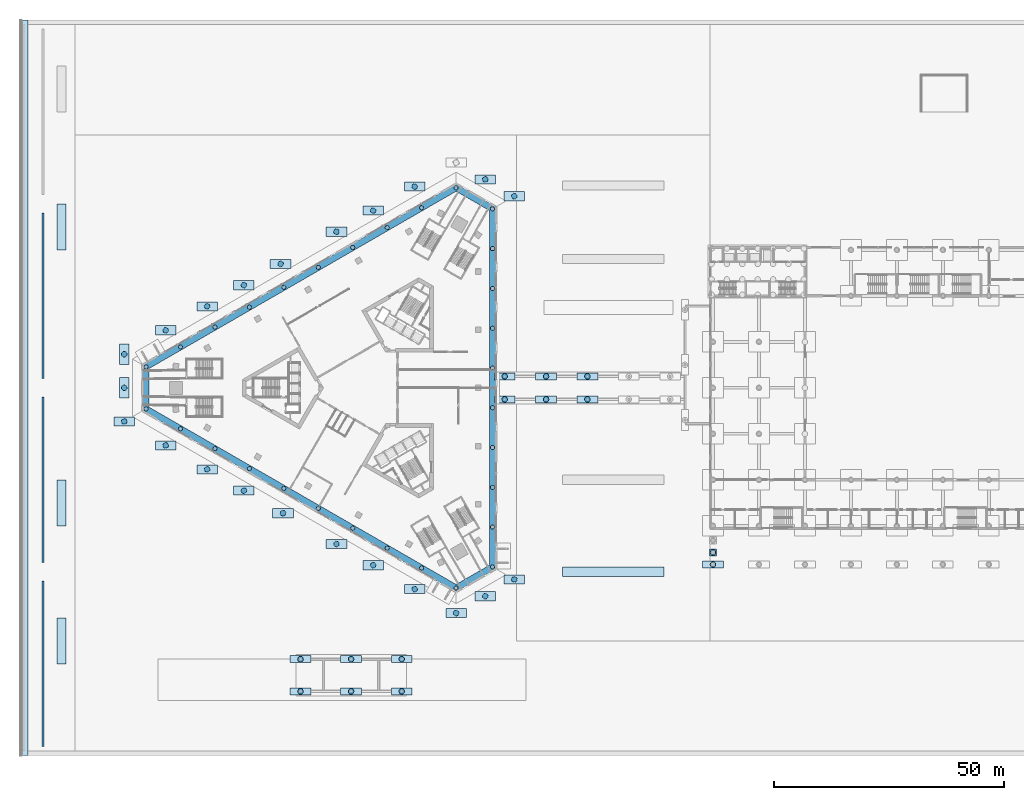
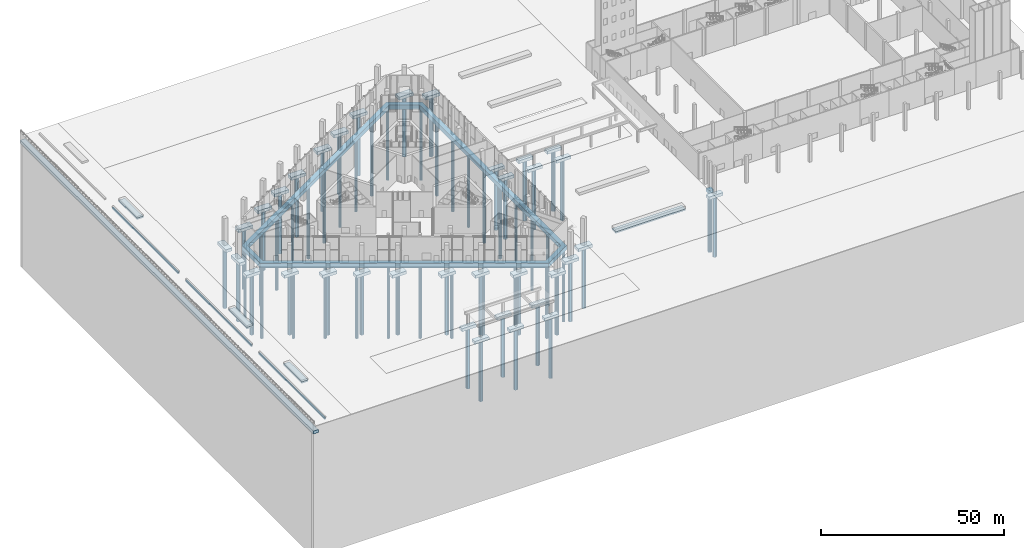
# One storey, part 1 of 63: 66 piles, 45 footings.
"""IFC4 building model written with IfcOpenShell, lengths in metres."""

import ifcopenshell
import ifcopenshell.guid

model = None  # the IFC model being written
_history = None  # IfcOwnerHistory: only IFC2X3 demands one
_inside = {}  # id of a spatial element -> (the spatial element, [elements in it])
_under = {}  # id of a project, library or spatial element -> (it, [spatial elements below it])
_declared = {}  # id of a project -> (the project, [libraries it declares])
_typed = {}  # id of a type object -> (the type object, [elements of that type])
_made_of = {}  # id of a material, layer set ... -> (it, [elements and type objects made of it])


def new_model(schema):
    """Start an empty IFC model of exactly this schema.

    Asked for "IFC4X3", IfcOpenShell would pick the latest addendum, in which some entities
    have other attributes; the version numbers below select the first issue.
    IFC2X3 requires an IfcOwnerHistory on every rooted entity: one is made here for all.
    """
    global model, _history
    if schema == "IFC4X3":
        model = ifcopenshell.file(schema_version=(4, 3, 0, 0))
    else:
        model = ifcopenshell.file(schema=schema)
    _inside.clear()
    _under.clear()
    _declared.clear()
    _typed.clear()
    _made_of.clear()
    _history = None
    if model.schema == "IFC2X3":
        org = make("IfcOrganization", Name="unknown")
        user = make(
            "IfcPersonAndOrganization",
            ThePerson=make("IfcPerson", FamilyName="unknown"),
            TheOrganization=org,
        )
        app = make(
            "IfcApplication",
            ApplicationDeveloper=org,
            Version="unknown",
            ApplicationFullName="unknown",
            ApplicationIdentifier="unknown",
        )
        _history = make(
            "IfcOwnerHistory",
            OwningUser=user,
            OwningApplication=app,
            ChangeAction="ADDED",
            CreationDate=0,
        )
    return model


def make(cls, **values):
    """One entity of the class cls with the attributes given. An attribute that is None is left unset."""
    return model.create_entity(
        cls, **{name: value for name, value in values.items() if value is not None}
    )


def rooted(cls, **values):
    """An entity with a GlobalId (a new one), such as an element, a storey or a relation."""
    return make(cls, GlobalId=ifcopenshell.guid.new(), OwnerHistory=_history, **values)


def si_unit(unit_type, name, prefix=None):
    """IfcSIUnit, for example si_unit("LENGTHUNIT", "METRE", prefix="MILLI")."""
    return make("IfcSIUnit", UnitType=unit_type, Prefix=prefix, Name=name)


def assignment(units):
    """IfcUnitAssignment: the units of a project."""
    return None if units is None else make("IfcUnitAssignment", Units=units)


def point(xyz):
    """IfcCartesianPoint."""
    return None if xyz is None else make("IfcCartesianPoint", Coordinates=xyz)


def direction(xyz):
    """IfcDirection."""
    return None if xyz is None else make("IfcDirection", DirectionRatios=xyz)


def frame(location, z_axis=None, x_axis=None):
    """IfcAxis2Placement3D, a coordinate frame: its origin and axes. An axis left out is left unset."""
    return make(
        "IfcAxis2Placement3D",
        Location=point(location),
        Axis=direction(z_axis),
        RefDirection=direction(x_axis),
    )


def frame_2d(location, x_axis=None):
    """IfcAxis2Placement2D, a coordinate frame in the plane: its origin and x axis."""
    return make(
        "IfcAxis2Placement2D", Location=point(location), RefDirection=direction(x_axis)
    )


def origin():
    """The frame at (0, 0, 0) with its axes left unset."""
    return frame((0.0, 0.0, 0.0))


def origin_2d():
    """The frame at (0, 0) in the plane with its x axis left unset."""
    return frame_2d((0.0, 0.0))


def place(relative_to, where):
    """IfcLocalPlacement: puts the frame where relative to a parent placement (None: the world)."""
    return make(
        "IfcLocalPlacement", PlacementRelTo=relative_to, RelativePlacement=where
    )


def context(
    kind, dimensions, precision=None, world=None, true_north=None, identifier=None
):
    """IfcGeometricRepresentationContext, for example the 3D "Model" context."""
    return make(
        "IfcGeometricRepresentationContext",
        ContextIdentifier=identifier,
        ContextType=kind,
        CoordinateSpaceDimension=dimensions,
        Precision=precision,
        WorldCoordinateSystem=world,
        TrueNorth=true_north,
    )


def subcontext(parent, identifier, kind, view, scale=None):
    """IfcGeometricRepresentationSubContext, for example "Body" below "Model"."""
    return make(
        "IfcGeometricRepresentationSubContext",
        ContextIdentifier=identifier,
        ContextType=kind,
        ParentContext=parent,
        TargetScale=scale,
        TargetView=view,
    )


def project(units=None, contexts=None):
    """IfcProject with its units and contexts."""
    return rooted(
        "IfcProject",
        Name="project",
        RepresentationContexts=contexts,
        UnitsInContext=assignment(units),
    )


def spatial(cls, under=None, at=None, **own):
    """A site, building, storey or space (cls), placed at a placement, below another one or the project."""
    s = rooted(cls, ObjectPlacement=at, **own)
    if under is not None:
        _under.setdefault(under.id(), (under, []))[1].append(s)
    return s


def polyline(points):
    """IfcPolyline through the points."""
    return make("IfcPolyline", Points=[point(p) for p in points])


def profile(cls, at=None, kind="AREA", **sizes):
    """A parametric profile (cls). Its sizes go by their IFC names, for example OverallWidth=200.0."""
    return make(cls, ProfileType=kind, Position=at, **sizes)


def rectangle(**sizes):
    """IfcRectangleProfileDef."""
    return profile("IfcRectangleProfileDef", **sizes)


def circle(**sizes):
    """IfcCircleProfileDef."""
    return profile("IfcCircleProfileDef", **sizes)


def outline(outer, holes=None, kind="AREA"):
    """IfcArbitraryClosedProfileDef: a profile drawn as a closed curve; with holes, ...WithVoids."""
    if holes is None:
        return make("IfcArbitraryClosedProfileDef", ProfileType=kind, OuterCurve=outer)
    return make(
        "IfcArbitraryProfileDefWithVoids",
        ProfileType=kind,
        OuterCurve=outer,
        InnerCurves=holes,
    )


def extrude(swept, where, along, depth):
    """IfcExtrudedAreaSolid: the profile swept, set in the frame where, extruded along a direction by depth."""
    return make(
        "IfcExtrudedAreaSolid",
        SweptArea=swept,
        Position=where,
        ExtrudedDirection=direction(along),
        Depth=depth,
    )


def shape(context_of_items, identifier, shape_type, items):
    """IfcShapeRepresentation: the items that make up one representation, for example the "Body"."""
    return make(
        "IfcShapeRepresentation",
        ContextOfItems=context_of_items,
        RepresentationIdentifier=identifier,
        RepresentationType=shape_type,
        Items=items,
    )


def material(Name=None, Category=None):
    """IfcMaterial."""
    return make("IfcMaterial", Name=Name, Category=Category)


def layer(
    of_material, thickness, ventilated=None, Name=None, Category=None, Priority=None
):
    """IfcMaterialLayer: one layer of a wall or slab, of a material (None: an air gap)."""
    return make(
        "IfcMaterialLayer",
        Material=of_material,
        LayerThickness=thickness,
        IsVentilated=ventilated,
        Name=Name,
        Category=Category,
        Priority=Priority,
    )


def layer_set(layers, Name=None):
    """IfcMaterialLayerSet."""
    return make("IfcMaterialLayerSet", MaterialLayers=layers, LayerSetName=Name)


def material_profile(
    of_material, cross_section, Name=None, Category=None, Priority=None
):
    """IfcMaterialProfile: a cross section and its material."""
    return make(
        "IfcMaterialProfile",
        Name=Name,
        Material=of_material,
        Profile=cross_section,
        Priority=Priority,
        Category=Category,
    )


def profile_set(profiles, Name=None, composite=None):
    """IfcMaterialProfileSet."""
    return make(
        "IfcMaterialProfileSet",
        Name=Name,
        MaterialProfiles=profiles,
        CompositeProfile=composite,
    )


def made_of(thing, what):
    """Note that an element or type object is made of a material, layer set ...; save() writes the relation."""
    if what is not None:
        _made_of.setdefault(what.id(), (what, []))[1].append(thing)
    return thing


def type_object(cls, material=None, **own):
    """A type object (cls), such as IfcWallType, which elements share."""
    return made_of(rooted(cls, **own), material)


def element(
    cls,
    number,
    at=None,
    inside=None,
    cuts=None,
    type_object=None,
    material=None,
    context=None,
    identifier="Body",
    shape_type=None,
    held_by="IfcProductDefinitionShape",
    body=None,
    shapes=None,
    **own,
):
    """One element of the class cls, such as IfcWall. Its Tag is "e" and its number.

    at: its placement. inside: the storey or other place that contains it. cuts: it is an
    opening in that element (IfcRelVoidsElement). A single representation is given by context,
    identifier, shape_type and body (its items); several are given by shapes. held_by: the class
    of the entity that holds the representations. save() writes the other relations.
    """
    e = rooted(cls, Tag="e%d" % number, ObjectPlacement=at, **own)
    if body is not None:
        shapes = [shape(context, identifier, shape_type, body)]
    if shapes is not None:
        e.Representation = make(held_by, Representations=shapes)
    if inside is not None:
        _inside.setdefault(inside.id(), (inside, []))[1].append(e)
    if cuts is not None:
        rooted(
            "IfcRelVoidsElement", RelatingBuildingElement=cuts, RelatedOpeningElement=e
        )
    if type_object is not None:
        _typed.setdefault(type_object.id(), (type_object, []))[1].append(e)
    return made_of(e, material)


def aggregate(whole, parts):
    """IfcRelAggregates: a whole, such as a stair, and the parts it consists of."""
    return rooted("IfcRelAggregates", RelatingObject=whole, RelatedObjects=parts)


def save(model, path):
    """Write the relations noted so far, then the file.

    IfcRelAggregates (storeys below a building ...), IfcRelContainedInSpatialStructure (elements
    in a storey), IfcRelDefinesByType, IfcRelAssociatesMaterial and IfcRelDeclares: one each for
    every whole, place, type object, material and project.
    """
    for whole, parts in _under.values():
        aggregate(whole, parts)
    for where, things in _inside.values():
        rooted(
            "IfcRelContainedInSpatialStructure",
            RelatedElements=things,
            RelatingStructure=where,
        )
    for kind, things in _typed.values():
        rooted("IfcRelDefinesByType", RelatedObjects=things, RelatingType=kind)
    for what, things in _made_of.values():
        rooted("IfcRelAssociatesMaterial", RelatedObjects=things, RelatingMaterial=what)
    for by, libraries in _declared.values():
        rooted("IfcRelDeclares", RelatingContext=by, RelatedDefinitions=libraries)
    model.write(path)


model = new_model("IFC4")

# Units and contexts
model_context = context("Model", 3, precision=1e-05, world=origin(), true_north=direction((0.0, 1.0)))
body_context = subcontext(model_context, "Body", "Model", "MODEL_VIEW")
ifc_project = project(units=[si_unit("LENGTHUNIT", "METRE"), si_unit("AREAUNIT", "SQUARE_METRE"), si_unit("VOLUMEUNIT", "CUBIC_METRE"), si_unit("PLANEANGLEUNIT", "RADIAN"), si_unit("MASSUNIT", "GRAM", prefix="KILO")], contexts=[model_context])

# Site, building, storey
site_placement = place(None, origin())
site = spatial("IfcSite", under=ifc_project, at=site_placement, CompositionType="ELEMENT")
building_placement = place(site_placement, origin())
building = spatial("IfcBuilding", under=site, at=building_placement, Name="Jabali Bay Hotel Tower and Convention Centre", CompositionType="ELEMENT")
storey_placement = place(building_placement, origin())
storey = spatial("IfcBuildingStorey", under=building, at=storey_placement, Name="L00", CompositionType="ELEMENT", Elevation=0.0)

# Piles
ifc_material_1 = material(Name="Concrete C45", Category="concrete")
ifc_material_profile_1 = material_profile(ifc_material_1, circle(Radius=0.449951171875, at=origin_2d()), Name="Bored pile 900")
ifc_profile_set_1 = profile_set([ifc_material_profile_1], Name="Concrete C45")
pile_type_1 = type_object("IfcPileType", Name="Bored pile 900", PredefinedType="BORED", material=ifc_profile_set_1)
for number, where, z_axis, x_axis, name in (
    (1, (102.75, 41.069580078125, -1.699951171875), (0.0, 0.0, -1.0), (1.0, 0.0, 0.0), "Podium pile P01"),
    (2, (102.75, 49.720703125, -1.699951171875), (0.0, 0.0, -1.0), (1.0, 0.0, 0.0), "Podium pile P02"),
    (3, (102.75, 58.3720703125, -1.699951171875), (0.0, 0.0, -1.0), (1.0, 0.0, 0.0), "Podium pile P03"),
    (4, (102.75, 67.023193359375, -1.699951171875), (0.0, 0.0, -1.0), (1.0, 0.0, 0.0), "Podium pile P04"),
    (5, (102.75, 75.67431640625, -1.699951171875), (0.0, 0.0, -1.0), (1.0, 0.0, 0.0), "Podium pile P05"),
    (6, (102.75, 84.32568359375, -1.699951171875), (0.0, 0.0, -1.0), (1.0, 0.0, 0.0), "Podium pile P06"),
    (7, (102.75, 92.976806640625, -1.699951171875), (0.0, 0.0, -1.0), (1.0, 0.0, 0.0), "Podium pile P07"),
    (8, (102.75, 101.6279296875, -1.699951171875), (0.0, 0.0, -1.0), (1.0, 0.0, 0.0), "Podium pile P08"),
    (9, (102.75, 110.279296875, -1.699951171875), (0.0, 0.0, -1.0), (1.0, 0.0, 0.0), "Podium pile P09"),
    (10, (102.75, 118.930419921875, -1.699951171875), (0.0, 0.0, -1.0), (1.0, 0.0, 0.0), "Podium pile P10"),
    (11, (94.83984375, 123.497314453125, -1.699951171875), (0.0, 0.0, -1.0), (1.0, 0.0, 0.0), "Podium pile P11"),
    (12, (87.34765625, 119.171875, -1.699951171875), (0.0, 0.0, -1.0), (1.0, 0.0, 0.0), "Podium pile P12"),
    (13, (79.85546875, 114.84619140625, -1.699951171875), (0.0, 0.0, -1.0), (1.0, 0.0, 0.0), "Podium pile P13"),
    (14, (72.36328125, 110.5205078125, -1.699951171875), (0.0, 0.0, -1.0), (1.0, 0.0, 0.0), "Podium pile P14"),
    (15, (64.87109375, 106.195068359375, -1.699951171875), (0.0, 0.0, -1.0), (1.0, 0.0, 0.0), "Podium pile P15"),
    (16, (57.37890625, 101.869384765625, -1.699951171875), (0.0, 0.0, -1.0), (1.0, 0.0, 0.0), "Podium pile P16"),
    (17, (49.88671875, 97.543701171875, -1.699951171875), (0.0, 0.0, -1.0), (1.0, 0.0, 0.0), "Podium pile P17"),
    (18, (42.39453125, 93.21826171875, -1.699951171875), (0.0, 0.0, -1.0), (1.0, 0.0, 0.0), "Podium pile P18"),
    (19, (34.90234375, 88.892578125, -1.699951171875), (0.0, 0.0, -1.0), (1.0, 0.0, 0.0), "Podium pile P19"),
    (20, (27.41015625, 84.56689453125, -1.699951171875), (0.0, 0.0, -1.0), (1.0, 0.0, 0.0), "Podium pile P20"),
    (21, (27.41015625, 75.43310546875, -1.699951171875), (0.0, 0.0, -1.0), (1.0, 0.0, 0.0), "Podium pile P21"),
    (22, (34.90234375, 71.107421875, -1.699951171875), (0.0, 0.0, -1.0), (1.0, 0.0, 0.0), "Podium pile P22"),
    (23, (42.39453125, 66.78173828125, -1.699951171875), (0.0, 0.0, -1.0), (1.0, 0.0, 0.0), "Podium pile P23"),
    (24, (49.88671875, 62.456298828125, -1.699951171875), (0.0, 0.0, -1.0), (1.0, 0.0, 0.0), "Podium pile P24"),
    (25, (57.37890625, 58.130615234375, -1.699951171875), (0.0, 0.0, -1.0), (1.0, 0.0, 0.0), "Podium pile P25"),
    (26, (64.87109375, 53.804931640625, -1.699951171875), (0.0, 0.0, -1.0), (1.0, 0.0, 0.0), "Podium pile P26"),
    (27, (72.36328125, 49.4794921875, -1.699951171875), (0.0, 0.0, -1.0), (1.0, 0.0, 0.0), "Podium pile P27"),
    (28, (79.85546875, 45.15380859375, -1.699951171875), (0.0, 0.0, -1.0), (1.0, 0.0, 0.0), "Podium pile P28"),
    (29, (87.34765625, 40.828125, -1.699951171875), (0.0, 0.0, -1.0), (1.0, 0.0, 0.0), "Podium pile P29"),
    (30, (94.83984375, 36.502685546875, -1.699951171875), (0.0, 0.0, -1.0), (1.0, 0.0, 0.0), "Podium pile P30"),
):
    element("IfcPile", number, at=place(storey_placement, frame(where, z_axis=z_axis, x_axis=x_axis)), inside=storey, type_object=pile_type_1, Name=name, PredefinedType="BORED", context=body_context, shape_type="SweptSolid", body=[
        extrude(circle(Radius=0.449951171875, at=origin_2d()), origin(), (0.0, 0.0, 1.0), 24.0),
    ])
ifc_material_profile_2 = material_profile(ifc_material_1, circle(Radius=0.60009765625, at=origin_2d()), Name="D1200")
ifc_profile_set_2 = profile_set([ifc_material_profile_2], Name="Concrete C45")
pile_type_2 = type_object("IfcPileType", Name="CC Bored Pile D1200", PredefinedType="BORED", material=ifc_profile_set_2)
for number, where, z_axis, x_axis, name in (
    (31, (150.699951171875, 44.199951171875, -1.10009765625), (0.0, 0.0, -1.0), (1.0, 0.0, 0.0), "CC pile 113"),
    (32, (150.699951171875, 41.60009765625, -1.10009765625), (0.0, 0.0, -1.0), (1.0, 0.0, 0.0), "CC pile 117"),
):
    element("IfcPile", number, at=place(storey_placement, frame(where, z_axis=z_axis, x_axis=x_axis)), inside=storey, type_object=pile_type_2, Name=name, PredefinedType="BORED", context=body_context, shape_type="SweptSolid", body=[
        extrude(circle(Radius=0.60009765625, at=origin_2d()), origin(), (0.0, 0.0, 1.0), 20.0),
    ])

# Footings
footing_type_1 = type_object("IfcFootingType", Name="CC Return Pier Pad Cap 1500x1500x1000", PredefinedType="PILE_CAP", material=ifc_material_1)
footing_1_placement = place(storey_placement, frame((0.0, 0.0, -1.199951171875)))
element("IfcFooting", 33, at=footing_1_placement, inside=storey, type_object=footing_type_1, Name="CC south return pier pad cap W1", PredefinedType="PILE_CAP", context=body_context, shape_type="SweptSolid", body=[
    extrude(outline(polyline([(149.949951171875, 43.449951171875), (151.449951171875, 43.449951171875), (151.449951171875, 44.949951171875), (149.949951171875, 44.949951171875), (149.949951171875, 43.449951171875)])), origin(), (0.0, 0.0, 1.0), 1.0),
])
footing_type_2 = type_object("IfcFootingType", Name="CC South Pier Pad Cap 1500x4500x1000", PredefinedType="PILE_CAP", material=ifc_material_1)
footing_2_placement = place(storey_placement, frame((0.0, 0.0, -1.199951171875)))
element("IfcFooting", 34, at=footing_2_placement, inside=storey, type_object=footing_type_2, Name="CC south pier pad cap 1", PredefinedType="PILE_CAP", context=body_context, shape_type="SweptSolid", body=[
    extrude(outline(polyline([(148.449951171875, 40.85009765625), (152.949951171875, 40.85009765625), (152.949951171875, 42.35009765625), (148.449951171875, 42.35009765625), (148.449951171875, 40.85009765625)])), origin(), (0.0, 0.0, 1.0), 1.0),
])
ifc_layer = layer(ifc_material_1, 1.39990234375)
ifc_layer_set = layer_set([ifc_layer], Name="Concrete C45")
footing_type_3 = type_object("IfcFootingType", Name="Podium ring footing 1400", PredefinedType="FOOTING_BEAM", material=ifc_layer_set)
footing_3_placement = place(storey_placement, frame((0.0, 0.0, -1.800048828125)))
element("IfcFooting", 35, at=footing_3_placement, inside=storey, type_object=footing_type_3, Name="Podium ring footing", PredefinedType="FOOTING_BEAM", context=body_context, shape_type="SweptSolid", body=[
    extrude(outline(polyline([(94.83984375, 35.636474609375), (26.66015625, 75.0), (26.66015625, 85.0), (94.83984375, 124.363525390625), (103.5, 119.363525390625), (103.5, 40.636474609375), (94.83984375, 35.636474609375)]), holes=[polyline([(102.10009765625, 118.55517578125), (94.83984375, 122.746826171875), (28.060302734375, 84.191650390625), (28.060302734375, 75.808349609375), (94.83984375, 37.253173828125), (102.10009765625, 41.44482421875), (102.10009765625, 118.55517578125)])]), origin(), (0.0, 0.0, 1.0), 1.400146484375),
])
footing_type_4 = type_object("IfcFootingType", Name="SI Arcade Pad Cap 4500x2000x1000", PredefinedType="PILE_CAP", material=ifc_material_1)
footing_4_placement = place(storey_placement, frame((0.0, 0.0, -1.199951171875)))
element("IfcFooting", 36, at=footing_4_placement, inside=storey, type_object=footing_type_4, Name="SI arcade pier pad cap 1", PredefinedType="PILE_CAP", context=body_context, shape_type="SweptSolid", body=[
    extrude(outline(polyline([(105.25, 120.6728515625), (109.75, 120.6728515625), (109.75, 122.6728515625), (105.25, 122.6728515625), (105.25, 120.6728515625)])), origin(), (0.0, 0.0, 1.0), 1.0),
])
footing_5_placement = place(storey_placement, frame((0.0, 0.0, -1.199951171875)))
element("IfcFooting", 37, at=footing_5_placement, inside=storey, type_object=footing_type_4, Name="SI arcade pier pad cap 3", PredefinedType="PILE_CAP", context=body_context, shape_type="SweptSolid", body=[
    extrude(outline(polyline([(21.66015625, 85.059326171875), (23.66015625, 85.059326171875), (23.66015625, 89.559326171875), (21.66015625, 89.559326171875), (21.66015625, 85.059326171875)])), origin(), (0.0, 0.0, 1.0), 1.0),
])
footing_6_placement = place(storey_placement, frame((0.0, 0.0, -1.199951171875)))
element("IfcFooting", 38, at=footing_6_placement, inside=storey, type_object=footing_type_4, Name="SI arcade pier pad cap 4", PredefinedType="PILE_CAP", context=body_context, shape_type="SweptSolid", body=[
    extrude(outline(polyline([(20.41015625, 71.690673828125), (24.91015625, 71.690673828125), (24.91015625, 73.690673828125), (20.41015625, 73.690673828125), (20.41015625, 71.690673828125)])), origin(), (0.0, 0.0, 1.0), 1.0),
])
footing_7_placement = place(storey_placement, frame((0.0, 0.0, -1.199951171875)))
element("IfcFooting", 39, at=footing_7_placement, inside=storey, type_object=footing_type_4, Name="SI arcade pier pad cap 5", PredefinedType="PILE_CAP", context=body_context, shape_type="SweptSolid", body=[
    extrude(outline(polyline([(92.58984375, 30.017822265625), (97.08984375, 30.017822265625), (97.08984375, 32.017822265625), (92.58984375, 32.017822265625), (92.58984375, 30.017822265625)])), origin(), (0.0, 0.0, 1.0), 1.0),
])
footing_8_placement = place(storey_placement, frame((0.0, 0.0, -1.199951171875)))
element("IfcFooting", 40, at=footing_8_placement, inside=storey, type_object=footing_type_4, Name="SI arcade pier pad cap 6", PredefinedType="PILE_CAP", context=body_context, shape_type="SweptSolid", body=[
    extrude(outline(polyline([(105.25, 37.3271484375), (109.75, 37.3271484375), (109.75, 39.3271484375), (105.25, 39.3271484375), (105.25, 37.3271484375)])), origin(), (0.0, 0.0, 1.0), 1.0),
])
footing_9_placement = place(storey_placement, frame((0.0, 0.0, -1.199951171875)))
element("IfcFooting", 41, at=footing_9_placement, inside=storey, type_object=footing_type_4, Name="SI arcade pier pad cap 7", PredefinedType="PILE_CAP", context=body_context, shape_type="SweptSolid", body=[
    extrude(outline(polyline([(98.919921875, 124.32763671875), (103.419921875, 124.32763671875), (103.419921875, 126.32763671875), (98.919921875, 126.32763671875), (98.919921875, 124.32763671875)])), origin(), (0.0, 0.0, 1.0), 1.0),
])
footing_10_placement = place(storey_placement, frame((0.0, 0.0, -1.199951171875)))
element("IfcFooting", 42, at=footing_10_placement, inside=storey, type_object=footing_type_4, Name="SI arcade pier pad cap 8", PredefinedType="PILE_CAP", context=body_context, shape_type="SweptSolid", body=[
    extrude(outline(polyline([(83.5673828125, 122.773193359375), (88.0673828125, 122.773193359375), (88.0673828125, 124.773193359375), (83.5673828125, 124.773193359375), (83.5673828125, 122.773193359375)])), origin(), (0.0, 0.0, 1.0), 1.0),
])
footing_11_placement = place(storey_placement, frame((0.0, 0.0, -1.199951171875)))
element("IfcFooting", 43, at=footing_11_placement, inside=storey, type_object=footing_type_4, Name="SI arcade pier pad cap 9", PredefinedType="PILE_CAP", context=body_context, shape_type="SweptSolid", body=[
    extrude(outline(polyline([(74.544921875, 117.56396484375), (79.044921875, 117.56396484375), (79.044921875, 119.56396484375), (74.544921875, 119.56396484375), (74.544921875, 117.56396484375)])), origin(), (0.0, 0.0, 1.0), 1.0),
])
footing_12_placement = place(storey_placement, frame((0.0, 0.0, -1.199951171875)))
element("IfcFooting", 44, at=footing_12_placement, inside=storey, type_object=footing_type_4, Name="SI arcade pier pad cap 10", PredefinedType="PILE_CAP", context=body_context, shape_type="SweptSolid", body=[
    extrude(outline(polyline([(66.561767578125, 112.954833984375), (71.061767578125, 112.954833984375), (71.061767578125, 114.954833984375), (66.561767578125, 114.954833984375), (66.561767578125, 112.954833984375)])), origin(), (0.0, 0.0, 1.0), 1.0),
])
footing_13_placement = place(storey_placement, frame((0.0, 0.0, -1.199951171875)))
element("IfcFooting", 45, at=footing_13_placement, inside=storey, type_object=footing_type_4, Name="SI arcade pier pad cap 11", PredefinedType="PILE_CAP", context=body_context, shape_type="SweptSolid", body=[
    extrude(outline(polyline([(54.421630859375, 105.94580078125), (58.921630859375, 105.94580078125), (58.921630859375, 107.94580078125), (54.421630859375, 107.94580078125), (54.421630859375, 105.94580078125)])), origin(), (0.0, 0.0, 1.0), 1.0),
])
footing_14_placement = place(storey_placement, frame((0.0, 0.0, -1.199951171875)))
element("IfcFooting", 46, at=footing_14_placement, inside=storey, type_object=footing_type_4, Name="SI arcade pier pad cap 12", PredefinedType="PILE_CAP", context=body_context, shape_type="SweptSolid", body=[
    extrude(outline(polyline([(46.438232421875, 101.336669921875), (50.938232421875, 101.336669921875), (50.938232421875, 103.336669921875), (46.438232421875, 103.336669921875), (46.438232421875, 101.336669921875)])), origin(), (0.0, 0.0, 1.0), 1.0),
])
footing_15_placement = place(storey_placement, frame((0.0, 0.0, -1.199951171875)))
element("IfcFooting", 47, at=footing_15_placement, inside=storey, type_object=footing_type_4, Name="SI arcade pier pad cap 13", PredefinedType="PILE_CAP", context=body_context, shape_type="SweptSolid", body=[
    extrude(outline(polyline([(38.455078125, 96.7275390625), (42.955078125, 96.7275390625), (42.955078125, 98.7275390625), (38.455078125, 98.7275390625), (38.455078125, 96.7275390625)])), origin(), (0.0, 0.0, 1.0), 1.0),
])
footing_16_placement = place(storey_placement, frame((0.0, 0.0, -1.199951171875)))
element("IfcFooting", 48, at=footing_16_placement, inside=storey, type_object=footing_type_4, Name="SI arcade pier pad cap 14", PredefinedType="PILE_CAP", context=body_context, shape_type="SweptSolid", body=[
    extrude(outline(polyline([(29.4326171875, 91.5185546875), (33.9326171875, 91.5185546875), (33.9326171875, 93.5185546875), (29.4326171875, 93.5185546875), (29.4326171875, 91.5185546875)])), origin(), (0.0, 0.0, 1.0), 1.0),
])
footing_17_placement = place(storey_placement, frame((0.0, 0.0, -1.199951171875)))
element("IfcFooting", 49, at=footing_17_placement, inside=storey, type_object=footing_type_4, Name="SI arcade pier pad cap 15", PredefinedType="PILE_CAP", context=body_context, shape_type="SweptSolid", body=[
    extrude(outline(polyline([(21.66015625, 77.75), (23.66015625, 77.75), (23.66015625, 82.25), (21.66015625, 82.25), (21.66015625, 77.75)])), origin(), (0.0, 0.0, 1.0), 1.0),
])
footing_18_placement = place(storey_placement, frame((0.0, 0.0, -1.199951171875)))
element("IfcFooting", 50, at=footing_18_placement, inside=storey, type_object=footing_type_4, Name="SI arcade pier pad cap 16", PredefinedType="PILE_CAP", context=body_context, shape_type="SweptSolid", body=[
    extrude(outline(polyline([(29.4326171875, 66.4814453125), (33.9326171875, 66.4814453125), (33.9326171875, 68.4814453125), (29.4326171875, 68.4814453125), (29.4326171875, 66.4814453125)])), origin(), (0.0, 0.0, 1.0), 1.0),
])
footing_19_placement = place(storey_placement, frame((0.0, 0.0, -1.199951171875)))
element("IfcFooting", 51, at=footing_19_placement, inside=storey, type_object=footing_type_4, Name="SI arcade pier pad cap 17", PredefinedType="PILE_CAP", context=body_context, shape_type="SweptSolid", body=[
    extrude(outline(polyline([(38.455078125, 61.2724609375), (42.955078125, 61.2724609375), (42.955078125, 63.2724609375), (38.455078125, 63.2724609375), (38.455078125, 61.2724609375)])), origin(), (0.0, 0.0, 1.0), 1.0),
])
footing_20_placement = place(storey_placement, frame((0.0, 0.0, -1.199951171875)))
element("IfcFooting", 52, at=footing_20_placement, inside=storey, type_object=footing_type_4, Name="SI arcade pier pad cap 18", PredefinedType="PILE_CAP", context=body_context, shape_type="SweptSolid", body=[
    extrude(outline(polyline([(46.438232421875, 56.663330078125), (50.938232421875, 56.663330078125), (50.938232421875, 58.663330078125), (46.438232421875, 58.663330078125), (46.438232421875, 56.663330078125)])), origin(), (0.0, 0.0, 1.0), 1.0),
])
footing_21_placement = place(storey_placement, frame((0.0, 0.0, -1.199951171875)))
element("IfcFooting", 53, at=footing_21_placement, inside=storey, type_object=footing_type_4, Name="SI arcade pier pad cap 19", PredefinedType="PILE_CAP", context=body_context, shape_type="SweptSolid", body=[
    extrude(outline(polyline([(54.941162109375, 51.754150390625), (59.441162109375, 51.754150390625), (59.441162109375, 53.754150390625), (54.941162109375, 53.754150390625), (54.941162109375, 51.754150390625)])), origin(), (0.0, 0.0, 1.0), 1.0),
])
footing_22_placement = place(storey_placement, frame((0.0, 0.0, -1.199951171875)))
element("IfcFooting", 54, at=footing_22_placement, inside=storey, type_object=footing_type_4, Name="SI arcade pier pad cap 20", PredefinedType="PILE_CAP", context=body_context, shape_type="SweptSolid", body=[
    extrude(outline(polyline([(66.561767578125, 45.045166015625), (71.061767578125, 45.045166015625), (71.061767578125, 47.045166015625), (66.561767578125, 47.045166015625), (66.561767578125, 45.045166015625)])), origin(), (0.0, 0.0, 1.0), 1.0),
])
footing_23_placement = place(storey_placement, frame((0.0, 0.0, -1.199951171875)))
element("IfcFooting", 55, at=footing_23_placement, inside=storey, type_object=footing_type_4, Name="SI arcade pier pad cap 21", PredefinedType="PILE_CAP", context=body_context, shape_type="SweptSolid", body=[
    extrude(outline(polyline([(74.544921875, 40.43603515625), (79.044921875, 40.43603515625), (79.044921875, 42.43603515625), (74.544921875, 42.43603515625), (74.544921875, 40.43603515625)])), origin(), (0.0, 0.0, 1.0), 1.0),
])
footing_24_placement = place(storey_placement, frame((0.0, 0.0, -1.199951171875)))
element("IfcFooting", 56, at=footing_24_placement, inside=storey, type_object=footing_type_4, Name="SI arcade pier pad cap 22", PredefinedType="PILE_CAP", context=body_context, shape_type="SweptSolid", body=[
    extrude(outline(polyline([(83.5673828125, 35.226806640625), (88.0673828125, 35.226806640625), (88.0673828125, 37.226806640625), (83.5673828125, 37.226806640625), (83.5673828125, 35.226806640625)])), origin(), (0.0, 0.0, 1.0), 1.0),
])
footing_25_placement = place(storey_placement, frame((0.0, 0.0, -1.199951171875)))
element("IfcFooting", 57, at=footing_25_placement, inside=storey, type_object=footing_type_4, Name="SI arcade pier pad cap 23", PredefinedType="PILE_CAP", context=body_context, shape_type="SweptSolid", body=[
    extrude(outline(polyline([(98.919921875, 33.67236328125), (103.419921875, 33.67236328125), (103.419921875, 35.67236328125), (98.919921875, 35.67236328125), (98.919921875, 33.67236328125)])), origin(), (0.0, 0.0, 1.0), 1.0),
])

# Piles
ifc_material_profile_3 = material_profile(ifc_material_1, circle(Radius=0.60009765625, at=origin_2d()), Name="D1200")
ifc_profile_set_3 = profile_set([ifc_material_profile_3], Name="Concrete C45")
pile_type_3 = type_object("IfcPileType", Name="SI Bored Pile D1200", PredefinedType="BORED", material=ifc_profile_set_3)
for number, where, z_axis, x_axis, name in (
    (58, (105.39990234375, 77.5, -1.10009765625), (0.0, 0.0, -1.0), (1.0, 0.0, 0.0), "SI pile 1"),
    (59, (105.39990234375, 82.5, -1.10009765625), (0.0, 0.0, -1.0), (1.0, 0.0, 0.0), "SI pile 2"),
    (60, (114.39990234375, 77.5, -1.10009765625), (0.0, 0.0, -1.0), (1.0, 0.0, 0.0), "SI pile 3"),
    (61, (114.39990234375, 82.5, -1.10009765625), (0.0, 0.0, -1.0), (1.0, 0.0, 0.0), "SI pile 4"),
    (62, (123.39990234375, 77.5, -1.10009765625), (0.0, 0.0, -1.0), (1.0, 0.0, 0.0), "SI pile 5"),
    (63, (123.39990234375, 82.5, -1.10009765625), (0.0, 0.0, -1.0), (1.0, 0.0, 0.0), "SI pile 6"),
    (64, (61.0, 14.0, -1.10009765625), (0.0, 0.0, -1.0), (1.0, 0.0, 0.0), "SI pile 11"),
    (65, (72.0, 14.0, -1.10009765625), (0.0, 0.0, -1.0), (1.0, 0.0, 0.0), "SI pile 12"),
    (66, (83.0, 14.0, -1.10009765625), (0.0, 0.0, -1.0), (1.0, 0.0, 0.0), "SI pile 13"),
    (67, (61.0, 21.0, -1.10009765625), (0.0, 0.0, -1.0), (1.0, 0.0, 0.0), "SI pile 14"),
    (68, (72.0, 21.0, -1.10009765625), (0.0, 0.0, -1.0), (1.0, 0.0, 0.0), "SI pile 15"),
    (69, (83.0, 21.0, -1.10009765625), (0.0, 0.0, -1.0), (1.0, 0.0, 0.0), "SI pile 16"),
    (70, (107.5, 121.6728515625, -1.10009765625), (0.0, 0.0, -1.0), (1.0, 0.0, 0.0), "SI pile 17"),
    (71, (22.66015625, 87.309326171875, -1.10009765625), (0.0, 0.0, -1.0), (1.0, 0.0, 0.0), "SI pile 19"),
    (72, (22.66015625, 72.690673828125, -1.10009765625), (0.0, 0.0, -1.0), (1.0, 0.0, 0.0), "SI pile 20"),
    (73, (94.83984375, 31.017822265625, -1.10009765625), (0.0, 0.0, -1.0), (1.0, 0.0, 0.0), "SI pile 21"),
    (74, (107.5, 38.3271484375, -1.10009765625), (0.0, 0.0, -1.0), (1.0, 0.0, 0.0), "SI pile 22"),
    (75, (101.169921875, 125.32763671875, -1.10009765625), (0.0, 0.0, -1.0), (1.0, 0.0, 0.0), "SI pile 23"),
    (76, (85.8173828125, 123.773193359375, -1.10009765625), (0.0, 0.0, -1.0), (1.0, 0.0, 0.0), "SI pile 24"),
    (77, (76.794921875, 118.56396484375, -1.10009765625), (0.0, 0.0, -1.0), (1.0, 0.0, 0.0), "SI pile 25"),
    (78, (68.811767578125, 113.954833984375, -1.10009765625), (0.0, 0.0, -1.0), (1.0, 0.0, 0.0), "SI pile 26"),
    (79, (56.671630859375, 106.94580078125, -1.10009765625), (0.0, 0.0, -1.0), (1.0, 0.0, 0.0), "SI pile 27"),
    (80, (48.688232421875, 102.336669921875, -1.10009765625), (0.0, 0.0, -1.0), (1.0, 0.0, 0.0), "SI pile 28"),
    (81, (40.705078125, 97.7275390625, -1.10009765625), (0.0, 0.0, -1.0), (1.0, 0.0, 0.0), "SI pile 29"),
    (82, (31.6826171875, 92.5185546875, -1.10009765625), (0.0, 0.0, -1.0), (1.0, 0.0, 0.0), "SI pile 30"),
    (83, (22.66015625, 80.0, -1.10009765625), (0.0, 0.0, -1.0), (1.0, 0.0, 0.0), "SI pile 31"),
    (84, (31.6826171875, 67.4814453125, -1.10009765625), (0.0, 0.0, -1.0), (1.0, 0.0, 0.0), "SI pile 32"),
    (85, (40.705078125, 62.2724609375, -1.10009765625), (0.0, 0.0, -1.0), (1.0, 0.0, 0.0), "SI pile 33"),
    (86, (48.688232421875, 57.663330078125, -1.10009765625), (0.0, 0.0, -1.0), (1.0, 0.0, 0.0), "SI pile 34"),
    (87, (57.191162109375, 52.754150390625, -1.10009765625), (0.0, 0.0, -1.0), (1.0, 0.0, 0.0), "SI pile 35"),
    (88, (68.811767578125, 46.045166015625, -1.10009765625), (0.0, 0.0, -1.0), (1.0, 0.0, 0.0), "SI pile 36"),
    (89, (76.794921875, 41.43603515625, -1.10009765625), (0.0, 0.0, -1.0), (1.0, 0.0, 0.0), "SI pile 37"),
    (90, (85.8173828125, 36.226806640625, -1.10009765625), (0.0, 0.0, -1.0), (1.0, 0.0, 0.0), "SI pile 38"),
    (91, (101.169921875, 34.67236328125, -1.10009765625), (0.0, 0.0, -1.0), (1.0, 0.0, 0.0), "SI pile 39"),
):
    element("IfcPile", number, at=place(storey_placement, frame(where, z_axis=z_axis, x_axis=x_axis)), inside=storey, type_object=pile_type_3, Name=name, PredefinedType="BORED", context=body_context, shape_type="SweptSolid", body=[
        extrude(circle(Radius=0.60009765625, at=origin_2d()), origin(), (0.0, 0.0, 1.0), 20.0),
    ])

# Footings
ifc_material_2 = material(Name="Concrete C30", Category="concrete")
footing_type_5 = type_object("IfcFootingType", Name="SI Low Wall Footing 500", PredefinedType="STRIP_FOOTING", material=ifc_material_2)
footing_26_placement = place(storey_placement, frame((0.0, 0.0, -0.5)))
element("IfcFooting", 92, at=footing_26_placement, inside=storey, type_object=footing_type_5, Name="Garden planter footing 1", PredefinedType="STRIP_FOOTING", context=body_context, shape_type="SweptSolid", body=[
    extrude(outline(polyline([(118.0, 41.0), (140.0, 41.0), (140.0, 39.0), (118.0, 39.0), (118.0, 41.0)])), origin(), (0.0, 0.0, 1.0), 0.5),
])
footing_27_placement = place(storey_placement, frame((0.0, 0.0, -0.5)))
element("IfcFooting", 93, at=footing_27_placement, inside=storey, type_object=footing_type_5, Name="Promenade planter footing 1", PredefinedType="STRIP_FOOTING", context=body_context, shape_type="SweptSolid", body=[
    extrude(outline(polyline([(8.0, 20.0), (8.0, 30.0), (10.0, 30.0), (10.0, 20.0), (8.0, 20.0)])), origin(), (0.0, 0.0, 1.0), 0.5),
])
footing_28_placement = place(storey_placement, frame((0.0, 0.0, -0.5)))
element("IfcFooting", 94, at=footing_28_placement, inside=storey, type_object=footing_type_5, Name="Promenade planter footing 2", PredefinedType="STRIP_FOOTING", context=body_context, shape_type="SweptSolid", body=[
    extrude(outline(polyline([(8.0, 50.0), (8.0, 60.0), (10.0, 60.0), (10.0, 50.0), (8.0, 50.0)])), origin(), (0.0, 0.0, 1.0), 0.5),
])
footing_29_placement = place(storey_placement, frame((0.0, 0.0, -0.5)))
element("IfcFooting", 95, at=footing_29_placement, inside=storey, type_object=footing_type_5, Name="Promenade planter footing 3", PredefinedType="STRIP_FOOTING", context=body_context, shape_type="SweptSolid", body=[
    extrude(outline(polyline([(8.0, 110.0), (8.0, 120.0), (10.0, 120.0), (10.0, 110.0), (8.0, 110.0)])), origin(), (0.0, 0.0, 1.0), 0.5),
])
footing_30_placement = place(storey_placement, frame((0.0, 0.0, -0.5)))
element("IfcFooting", 96, at=footing_30_placement, inside=storey, type_object=footing_type_5, Name="Promenade seat wall footing 1", PredefinedType="STRIP_FOOTING", context=body_context, shape_type="SweptSolid", body=[
    extrude(outline(polyline([(4.77490234375, 2.0), (4.77490234375, 38.0), (5.22509765625, 38.0), (5.22509765625, 2.0), (4.77490234375, 2.0)])), origin(), (0.0, 0.0, 1.0), 0.5),
])
footing_31_placement = place(storey_placement, frame((0.0, 0.0, -0.5)))
element("IfcFooting", 97, at=footing_31_placement, inside=storey, type_object=footing_type_5, Name="Promenade seat wall footing 2", PredefinedType="STRIP_FOOTING", context=body_context, shape_type="SweptSolid", body=[
    extrude(outline(polyline([(4.77490234375, 42.0), (4.77490234375, 78.0), (5.22509765625, 78.0), (5.22509765625, 42.0), (4.77490234375, 42.0)])), origin(), (0.0, 0.0, 1.0), 0.5),
])
footing_32_placement = place(storey_placement, frame((0.0, 0.0, -0.5)))
element("IfcFooting", 98, at=footing_32_placement, inside=storey, type_object=footing_type_5, Name="Promenade seat wall footing 3", PredefinedType="STRIP_FOOTING", context=body_context, shape_type="SweptSolid", body=[
    extrude(outline(polyline([(4.77490234375, 82.0), (4.77490234375, 118.0), (5.22509765625, 118.0), (5.22509765625, 82.0), (4.77490234375, 82.0)])), origin(), (0.0, 0.0, 1.0), 0.5),
])
footing_type_6 = type_object("IfcFootingType", Name="SI Pad Cap 4500x1500x1000", PredefinedType="PILE_CAP", material=ifc_material_1)
footing_33_placement = place(storey_placement, frame((0.0, 0.0, -1.199951171875)))
element("IfcFooting", 99, at=footing_33_placement, inside=storey, type_object=footing_type_6, Name="SI colonnade pad cap 1.1", PredefinedType="PILE_CAP", context=body_context, shape_type="SweptSolid", body=[
    extrude(outline(polyline([(103.14990234375, 76.75), (107.64990234375, 76.75), (107.64990234375, 78.25), (103.14990234375, 78.25), (103.14990234375, 76.75)])), origin(), (0.0, 0.0, 1.0), 1.0),
])
footing_34_placement = place(storey_placement, frame((0.0, 0.0, -1.199951171875)))
element("IfcFooting", 100, at=footing_34_placement, inside=storey, type_object=footing_type_6, Name="SI colonnade pad cap 1.2", PredefinedType="PILE_CAP", context=body_context, shape_type="SweptSolid", body=[
    extrude(outline(polyline([(103.14990234375, 81.75), (107.64990234375, 81.75), (107.64990234375, 83.25), (103.14990234375, 83.25), (103.14990234375, 81.75)])), origin(), (0.0, 0.0, 1.0), 1.0),
])
footing_35_placement = place(storey_placement, frame((0.0, 0.0, -1.199951171875)))
element("IfcFooting", 101, at=footing_35_placement, inside=storey, type_object=footing_type_6, Name="SI colonnade pad cap 2.1", PredefinedType="PILE_CAP", context=body_context, shape_type="SweptSolid", body=[
    extrude(outline(polyline([(112.14990234375, 76.75), (116.64990234375, 76.75), (116.64990234375, 78.25), (112.14990234375, 78.25), (112.14990234375, 76.75)])), origin(), (0.0, 0.0, 1.0), 1.0),
])
footing_36_placement = place(storey_placement, frame((0.0, 0.0, -1.199951171875)))
element("IfcFooting", 102, at=footing_36_placement, inside=storey, type_object=footing_type_6, Name="SI colonnade pad cap 2.2", PredefinedType="PILE_CAP", context=body_context, shape_type="SweptSolid", body=[
    extrude(outline(polyline([(112.14990234375, 81.75), (116.64990234375, 81.75), (116.64990234375, 83.25), (112.14990234375, 83.25), (112.14990234375, 81.75)])), origin(), (0.0, 0.0, 1.0), 1.0),
])
footing_37_placement = place(storey_placement, frame((0.0, 0.0, -1.199951171875)))
element("IfcFooting", 103, at=footing_37_placement, inside=storey, type_object=footing_type_6, Name="SI colonnade pad cap 3.1", PredefinedType="PILE_CAP", context=body_context, shape_type="SweptSolid", body=[
    extrude(outline(polyline([(121.14990234375, 76.75), (125.64990234375, 76.75), (125.64990234375, 78.25), (121.14990234375, 78.25), (121.14990234375, 76.75)])), origin(), (0.0, 0.0, 1.0), 1.0),
])
footing_38_placement = place(storey_placement, frame((0.0, 0.0, -1.199951171875)))
element("IfcFooting", 104, at=footing_38_placement, inside=storey, type_object=footing_type_6, Name="SI colonnade pad cap 3.2", PredefinedType="PILE_CAP", context=body_context, shape_type="SweptSolid", body=[
    extrude(outline(polyline([(121.14990234375, 81.75), (125.64990234375, 81.75), (125.64990234375, 83.25), (121.14990234375, 83.25), (121.14990234375, 81.75)])), origin(), (0.0, 0.0, 1.0), 1.0),
])
footing_39_placement = place(storey_placement, frame((0.0, 0.0, -1.199951171875)))
element("IfcFooting", 105, at=footing_39_placement, inside=storey, type_object=footing_type_6, Name="SI drop-off canopy pad cap 1.1", PredefinedType="PILE_CAP", context=body_context, shape_type="SweptSolid", body=[
    extrude(outline(polyline([(58.75, 13.25), (63.25, 13.25), (63.25, 14.75), (58.75, 14.75), (58.75, 13.25)])), origin(), (0.0, 0.0, 1.0), 1.0),
])
footing_40_placement = place(storey_placement, frame((0.0, 0.0, -1.199951171875)))
element("IfcFooting", 106, at=footing_40_placement, inside=storey, type_object=footing_type_6, Name="SI drop-off canopy pad cap 1.2", PredefinedType="PILE_CAP", context=body_context, shape_type="SweptSolid", body=[
    extrude(outline(polyline([(69.75, 13.25), (74.25, 13.25), (74.25, 14.75), (69.75, 14.75), (69.75, 13.25)])), origin(), (0.0, 0.0, 1.0), 1.0),
])
footing_41_placement = place(storey_placement, frame((0.0, 0.0, -1.199951171875)))
element("IfcFooting", 107, at=footing_41_placement, inside=storey, type_object=footing_type_6, Name="SI drop-off canopy pad cap 1.3", PredefinedType="PILE_CAP", context=body_context, shape_type="SweptSolid", body=[
    extrude(outline(polyline([(80.75, 13.25), (85.25, 13.25), (85.25, 14.75), (80.75, 14.75), (80.75, 13.25)])), origin(), (0.0, 0.0, 1.0), 1.0),
])
footing_42_placement = place(storey_placement, frame((0.0, 0.0, -1.199951171875)))
element("IfcFooting", 108, at=footing_42_placement, inside=storey, type_object=footing_type_6, Name="SI drop-off canopy pad cap 2.1", PredefinedType="PILE_CAP", context=body_context, shape_type="SweptSolid", body=[
    extrude(outline(polyline([(58.75, 20.25), (63.25, 20.25), (63.25, 21.75), (58.75, 21.75), (58.75, 20.25)])), origin(), (0.0, 0.0, 1.0), 1.0),
])
footing_43_placement = place(storey_placement, frame((0.0, 0.0, -1.199951171875)))
element("IfcFooting", 109, at=footing_43_placement, inside=storey, type_object=footing_type_6, Name="SI drop-off canopy pad cap 2.2", PredefinedType="PILE_CAP", context=body_context, shape_type="SweptSolid", body=[
    extrude(outline(polyline([(69.75, 20.25), (74.25, 20.25), (74.25, 21.75), (69.75, 21.75), (69.75, 20.25)])), origin(), (0.0, 0.0, 1.0), 1.0),
])
footing_44_placement = place(storey_placement, frame((0.0, 0.0, -1.199951171875)))
element("IfcFooting", 110, at=footing_44_placement, inside=storey, type_object=footing_type_6, Name="SI drop-off canopy pad cap 2.3", PredefinedType="PILE_CAP", context=body_context, shape_type="SweptSolid", body=[
    extrude(outline(polyline([(80.75, 20.25), (85.25, 20.25), (85.25, 21.75), (80.75, 21.75), (80.75, 20.25)])), origin(), (0.0, 0.0, 1.0), 1.0),
])
ifc_material_3 = material(Name="Concrete C40", Category="concrete")
ifc_material_profile_4 = material_profile(ifc_material_3, rectangle(XDim=1.60009765625, YDim=1.0, at=origin_2d()), Name="RC 1600x1000")
ifc_profile_set_4 = profile_set([ifc_material_profile_4], Name="Concrete C40")
footing_type_7 = type_object("IfcFootingType", Name="SI Seawall Strip Footing 1600x1000", PredefinedType="STRIP_FOOTING", material=ifc_profile_set_4)
footing_45_placement = place(storey_placement, frame((0.89990234375, 0.0, -2.0), z_axis=(0.0, 1.0, 0.0), x_axis=(-1.0, 0.0, 0.0)))
element("IfcFooting", 111, at=footing_45_placement, inside=storey, type_object=footing_type_7, Name="Seawall strip footing", PredefinedType="STRIP_FOOTING", context=body_context, shape_type="SweptSolid", body=[
    extrude(rectangle(XDim=1.60009765625, YDim=1.0, at=origin_2d()), origin(), (0.0, 0.0, 1.0), 160.0),
])

save(model, "model.ifc")
